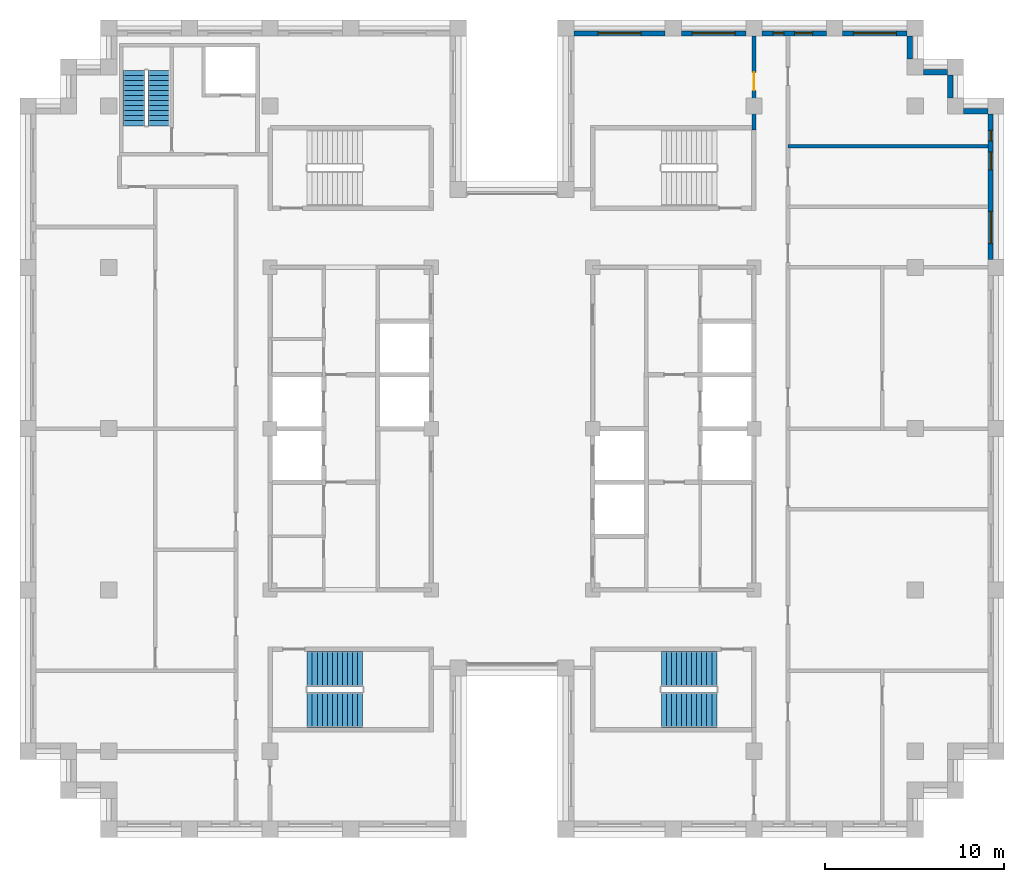
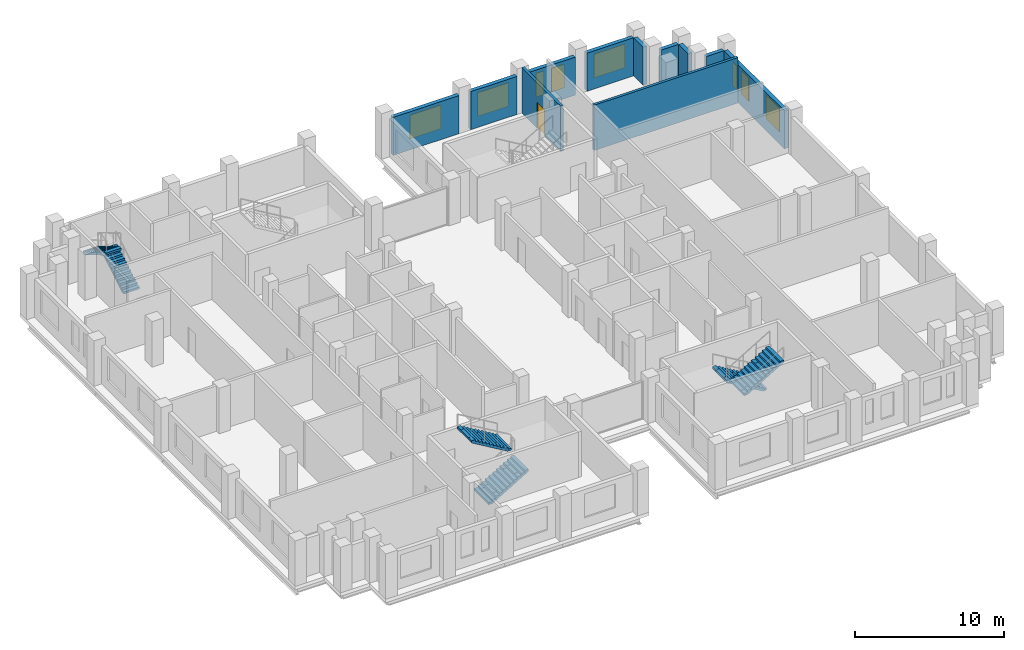
# One storey, part 11 of 13: 11 walls, 8 windows, 6 stair flights, 1 door, 9 openings, 3 elements without a shape of their own.
"""IFC4 building model written with IfcOpenShell, lengths in metres."""

from ifc_helpers import new_model, si_unit, direction, frame, frame_2d, origin, place, context, subcontext, project, spatial, polyline, rectangle, outline, extrude, material, layer, layer_set, type_object, element, fill, aggregate, save


model = new_model("IFC4")

# Units and contexts
model_context = context("Model", 3, precision=1e-05, world=origin(), true_north=direction((0.0, 1.0)))
body_context = subcontext(model_context, "Body", "Model", "MODEL_VIEW")
ifc_project = project(units=[si_unit("LENGTHUNIT", "METRE"), si_unit("AREAUNIT", "SQUARE_METRE"), si_unit("VOLUMEUNIT", "CUBIC_METRE"), si_unit("PLANEANGLEUNIT", "RADIAN"), si_unit("MASSUNIT", "GRAM", prefix="KILO")], contexts=[model_context])

# Site, building, storey
site_placement = place(None, origin())
site = spatial("IfcSite", under=ifc_project, at=site_placement, CompositionType="ELEMENT")
building_placement = place(site_placement, origin())
building = spatial("IfcBuilding", under=site, at=building_placement, Name="Corbelhall Arena Tower", CompositionType="ELEMENT")
storey_placement = place(building_placement, frame((0.0, 0.0, 254.0)))
storey = spatial("IfcBuildingStorey", under=building, at=storey_placement, Name="L54", CompositionType="ELEMENT", Elevation=254.0)

# Wall, openings, windows
ifc_material_1 = material(Name="Precast concrete C40/50 with granite facing", Category="masonry")
ifc_layer_1 = layer(ifc_material_1, 0.300048828125)
ifc_layer_set_1 = layer_set([ifc_layer_1], Name="EV-IW1 Infill panel 300")
wall_type_1 = type_object("IfcWallType", Name="EV-IW1 Infill panel 300", PredefinedType="SOLIDWALL", material=ifc_layer_set_1)
wall_1_placement = place(storey_placement, frame((26.699951171875, 9.449951171875, 0.0), z_axis=(0.0, 0.0, 1.0), x_axis=(0.0, 1.0, 0.0)))
wall_1 = element("IfcWall", 1, at=wall_1_placement, inside=storey, type_object=wall_type_1, Name="Infill panel IW1", PredefinedType="SOLIDWALL", context=body_context, shape_type="SweptSolid", body=[
    extrude(rectangle(XDim=8.10009765625, YDim=0.300048828125, at=frame_2d((4.050048828125, 0.0))), origin(), (0.0, 0.0, 1.0), 3.1201171875),
])
opening_1_placement = place(wall_1_placement, frame((0.875, 0.0, 0.800048828125)))
opening_1 = element("IfcOpeningElement", 2, at=opening_1_placement, cuts=wall_1, Name="Opening WN8", PredefinedType="OPENING", context=body_context, shape_type="SweptSolid", body=[
    extrude(rectangle(XDim=1.800048828125, YDim=1.949951171875, at=frame_2d((0.89990234375, 0.97509765625))), frame((0.0, 0.14990234375, 0.0), z_axis=(0.0, -1.0, 0.0), x_axis=(1.0, 0.0, 0.0)), (0.0, 0.0, 1.0), 0.300048828125),
])
opening_2_placement = place(wall_1_placement, frame((4.987548828125, 0.0, 0.800048828125)))
opening_2 = element("IfcOpeningElement", 3, at=opening_2_placement, cuts=wall_1, Name="Opening WN6", PredefinedType="OPENING", context=body_context, shape_type="SweptSolid", body=[
    extrude(rectangle(XDim=1.0, YDim=1.949951171875, at=frame_2d((0.5, 0.97509765625))), frame((0.0, 0.14990234375, 0.0), z_axis=(0.0, -1.0, 0.0), x_axis=(1.0, 0.0, 0.0)), (0.0, 0.0, 1.0), 0.300048828125),
])
opening_3_placement = place(wall_1_placement, frame((6.58740234375, 0.0, 0.800048828125)))
opening_3 = element("IfcOpeningElement", 4, at=opening_3_placement, cuts=wall_1, Name="Opening WN5", PredefinedType="OPENING", context=body_context, shape_type="SweptSolid", body=[
    extrude(rectangle(XDim=0.60009765625, YDim=1.949951171875, at=frame_2d((0.300048828125, 0.97509765625))), frame((0.0, 0.14990234375, 0.0), z_axis=(0.0, -1.0, 0.0), x_axis=(1.0, 0.0, 0.0)), (0.0, 0.0, 1.0), 0.300048828125),
])
ifc_material_2 = material(Name="Aluminium black anodised", Category="aluminium")
window_type_1 = type_object("IfcWindowType", Name="EV-WN5 Office window 600", PartitioningType="SINGLE_PANEL", PredefinedType="WINDOW", material=ifc_material_2)
window_1_placement = place(opening_3_placement, origin())
window_1 = element("IfcWindow", 5, at=window_1_placement, inside=storey, type_object=window_type_1, Name="Window WN5", OverallHeight=1.949951171875, OverallWidth=0.60009765625, PartitioningType="SINGLE_PANEL", PredefinedType="WINDOW", context=body_context, shape_type="SweptSolid", body=[
    extrude(rectangle(XDim=0.60009765625, YDim=1.949951171875, at=frame_2d((0.300048828125, 0.97509765625))), frame((0.0, 0.030029296875, 0.0), z_axis=(0.0, -1.0, 0.0), x_axis=(1.0, 0.0, 0.0)), (0.0, 0.0, 1.0), 0.06005859375),
])
fill(opening_3, window_1)
window_type_2 = type_object("IfcWindowType", Name="EV-WN6 Office window 1000", PartitioningType="SINGLE_PANEL", PredefinedType="WINDOW", material=ifc_material_2)
window_2_placement = place(opening_2_placement, origin())
window_2 = element("IfcWindow", 6, at=window_2_placement, inside=storey, type_object=window_type_2, Name="Window WN6", OverallHeight=1.949951171875, OverallWidth=1.0, PartitioningType="SINGLE_PANEL", PredefinedType="WINDOW", context=body_context, shape_type="SweptSolid", body=[
    extrude(rectangle(XDim=1.0, YDim=1.949951171875, at=frame_2d((0.5, 0.97509765625))), frame((0.0, 0.030029296875, 0.0), z_axis=(0.0, -1.0, 0.0), x_axis=(1.0, 0.0, 0.0)), (0.0, 0.0, 1.0), 0.06005859375),
])
fill(opening_2, window_2)
window_type_3 = type_object("IfcWindowType", Name="EV-WN8 Office window 1800", PartitioningType="SINGLE_PANEL", PredefinedType="WINDOW", material=ifc_material_2)
window_3_placement = place(opening_1_placement, origin())
window_3 = element("IfcWindow", 7, at=window_3_placement, inside=storey, type_object=window_type_3, Name="Window WN8", OverallHeight=1.949951171875, OverallWidth=1.800048828125, PartitioningType="SINGLE_PANEL", PredefinedType="WINDOW", context=body_context, shape_type="SweptSolid", body=[
    extrude(rectangle(XDim=1.800048828125, YDim=1.949951171875, at=frame_2d((0.89990234375, 0.97509765625))), frame((0.0, 0.030029296875, 0.0), z_axis=(0.0, -1.0, 0.0), x_axis=(1.0, 0.0, 0.0)), (0.0, 0.0, 1.0), 0.06005859375),
])
fill(opening_1, window_3)

# Walls
wall_2_placement = place(storey_placement, frame((26.550048828125, 17.699951171875, 0.0), z_axis=(0.0, 0.0, 1.0), x_axis=(-1.0, 0.0, 0.0)))
element("IfcWall", 8, at=wall_2_placement, inside=storey, type_object=wall_type_1, Name="Infill panel IW1", PredefinedType="SOLIDWALL", context=body_context, shape_type="SweptSolid", body=[
    extrude(rectangle(XDim=1.35009765625, YDim=0.300048828125, at=frame_2d((0.675048828125, 0.0))), origin(), (0.0, 0.0, 1.0), 3.1201171875),
])
wall_3_placement = place(storey_placement, frame((24.449951171875, 18.449951171875, 0.0), z_axis=(0.0, 0.0, 1.0), x_axis=(0.0, 1.0, 0.0)))
element("IfcWall", 9, at=wall_3_placement, inside=storey, type_object=wall_type_1, Name="Infill panel IW1", PredefinedType="SOLIDWALL", context=body_context, shape_type="SweptSolid", body=[
    extrude(rectangle(XDim=1.275146484375, YDim=0.300048828125, at=frame_2d((0.6376953125, 0.0))), origin(), (0.0, 0.0, 1.0), 3.1201171875),
])
wall_4_placement = place(storey_placement, frame((24.300048828125, 19.875, 0.0), z_axis=(0.0, 0.0, 1.0), x_axis=(-1.0, 0.0, 0.0)))
element("IfcWall", 10, at=wall_4_placement, inside=storey, type_object=wall_type_1, Name="Infill panel IW1", PredefinedType="SOLIDWALL", context=body_context, shape_type="SweptSolid", body=[
    extrude(rectangle(XDim=1.35009765625, YDim=0.300048828125, at=frame_2d((0.675048828125, 0.0))), origin(), (0.0, 0.0, 1.0), 3.1201171875),
])
wall_5_placement = place(storey_placement, frame((22.199951171875, 20.625, 0.0), z_axis=(0.0, 0.0, 1.0), x_axis=(0.0, 1.0, 0.0)))
element("IfcWall", 11, at=wall_5_placement, inside=storey, type_object=wall_type_1, Name="Infill panel IW1", PredefinedType="SOLIDWALL", context=body_context, shape_type="SweptSolid", body=[
    extrude(rectangle(XDim=1.27490234375, YDim=0.300048828125, at=frame_2d((0.637451171875, 0.0))), origin(), (0.0, 0.0, 1.0), 3.1201171875),
])

# Wall, opening, window
wall_6_placement = place(storey_placement, frame((22.050048828125, 22.050048828125, 0.0), z_axis=(0.0, 0.0, 1.0), x_axis=(-1.0, 0.0, 0.0)))
wall_6 = element("IfcWall", 12, at=wall_6_placement, inside=storey, type_object=wall_type_1, Name="Infill panel IW1", PredefinedType="SOLIDWALL", context=body_context, shape_type="SweptSolid", body=[
    extrude(rectangle(XDim=3.60009765625, YDim=0.300048828125, at=frame_2d((1.800048828125, 0.0))), origin(), (0.0, 0.0, 1.0), 3.1201171875),
])
opening_4_placement = place(wall_6_placement, frame((0.60009765625, 0.0, 0.800048828125)))
opening_4 = element("IfcOpeningElement", 13, at=opening_4_placement, cuts=wall_6, Name="Opening WN1", PredefinedType="OPENING", context=body_context, shape_type="SweptSolid", body=[
    extrude(rectangle(XDim=2.39990234375, YDim=1.949951171875, at=frame_2d((1.199951171875, 0.97509765625))), frame((0.0, 0.14990234375, 0.0), z_axis=(0.0, -1.0, 0.0), x_axis=(1.0, 0.0, 0.0)), (0.0, 0.0, 1.0), 0.300048828125),
])
window_type_4 = type_object("IfcWindowType", Name="EV-WN1 Office window", PartitioningType="SINGLE_PANEL", PredefinedType="WINDOW", material=ifc_material_2)
window_4_placement = place(opening_4_placement, origin())
window_4 = element("IfcWindow", 14, at=window_4_placement, inside=storey, type_object=window_type_4, Name="Window WN1", OverallHeight=1.949951171875, OverallWidth=2.39990234375, PartitioningType="SINGLE_PANEL", PredefinedType="WINDOW", context=body_context, shape_type="SweptSolid", body=[
    extrude(rectangle(XDim=2.39990234375, YDim=1.949951171875, at=frame_2d((1.199951171875, 0.97509765625))), frame((0.0, 0.030029296875, 0.0), z_axis=(0.0, -1.0, 0.0), x_axis=(1.0, 0.0, 0.0)), (0.0, 0.0, 1.0), 0.06005859375),
])
fill(opening_4, window_4)

# Wall, openings, windows
wall_7_placement = place(storey_placement, frame((17.550048828125, 22.050048828125, 0.0), z_axis=(0.0, 0.0, 1.0), x_axis=(-1.0, 0.0, 0.0)))
wall_7 = element("IfcWall", 15, at=wall_7_placement, inside=storey, type_object=wall_type_1, Name="Infill panel IW1", PredefinedType="SOLIDWALL", context=body_context, shape_type="SweptSolid", body=[
    extrude(rectangle(XDim=3.60009765625, YDim=0.300048828125, at=frame_2d((1.800048828125, 0.0))), origin(), (0.0, 0.0, 1.0), 3.1201171875),
])
opening_5_placement = place(wall_7_placement, frame((0.77490234375, 0.0, 0.800048828125)))
opening_5 = element("IfcOpeningElement", 16, at=opening_5_placement, cuts=wall_7, Name="Opening WN6", PredefinedType="OPENING", context=body_context, shape_type="SweptSolid", body=[
    extrude(rectangle(XDim=1.0, YDim=1.949951171875, at=frame_2d((0.5, 0.97509765625))), frame((0.0, 0.14990234375, 0.0), z_axis=(0.0, -1.0, 0.0), x_axis=(1.0, 0.0, 0.0)), (0.0, 0.0, 1.0), 0.300048828125),
])
opening_6_placement = place(wall_7_placement, frame((2.375, 0.0, 0.800048828125)))
opening_6 = element("IfcOpeningElement", 17, at=opening_6_placement, cuts=wall_7, Name="Opening WN5", PredefinedType="OPENING", context=body_context, shape_type="SweptSolid", body=[
    extrude(rectangle(XDim=0.60009765625, YDim=1.949951171875, at=frame_2d((0.300048828125, 0.97509765625))), frame((0.0, 0.14990234375, 0.0), z_axis=(0.0, -1.0, 0.0), x_axis=(1.0, 0.0, 0.0)), (0.0, 0.0, 1.0), 0.300048828125),
])
window_5_placement = place(opening_6_placement, origin())
window_5 = element("IfcWindow", 18, at=window_5_placement, inside=storey, type_object=window_type_1, Name="Window WN5", OverallHeight=1.949951171875, OverallWidth=0.60009765625, PartitioningType="SINGLE_PANEL", PredefinedType="WINDOW", context=body_context, shape_type="SweptSolid", body=[
    extrude(rectangle(XDim=0.60009765625, YDim=1.949951171875, at=frame_2d((0.300048828125, 0.97509765625))), frame((0.0, 0.030029296875, 0.0), z_axis=(0.0, -1.0, 0.0), x_axis=(1.0, 0.0, 0.0)), (0.0, 0.0, 1.0), 0.06005859375),
])
fill(opening_6, window_5)
window_6_placement = place(opening_5_placement, origin())
window_6 = element("IfcWindow", 19, at=window_6_placement, inside=storey, type_object=window_type_2, Name="Window WN6", OverallHeight=1.949951171875, OverallWidth=1.0, PartitioningType="SINGLE_PANEL", PredefinedType="WINDOW", context=body_context, shape_type="SweptSolid", body=[
    extrude(rectangle(XDim=1.0, YDim=1.949951171875, at=frame_2d((0.5, 0.97509765625))), frame((0.0, 0.030029296875, 0.0), z_axis=(0.0, -1.0, 0.0), x_axis=(1.0, 0.0, 0.0)), (0.0, 0.0, 1.0), 0.06005859375),
])
fill(opening_5, window_6)

# Wall, opening, window
wall_8_placement = place(storey_placement, frame((13.050048828125, 22.050048828125, 0.0), z_axis=(0.0, 0.0, 1.0), x_axis=(-1.0, 0.0, 0.0)))
wall_8 = element("IfcWall", 20, at=wall_8_placement, inside=storey, type_object=wall_type_1, Name="Infill panel IW1", PredefinedType="SOLIDWALL", context=body_context, shape_type="SweptSolid", body=[
    extrude(rectangle(XDim=3.60009765625, YDim=0.300048828125, at=frame_2d((1.800048828125, 0.0))), origin(), (0.0, 0.0, 1.0), 3.1201171875),
])
opening_7_placement = place(wall_8_placement, frame((0.60009765625, 0.0, 0.800048828125)))
opening_7 = element("IfcOpeningElement", 21, at=opening_7_placement, cuts=wall_8, Name="Opening WN1", PredefinedType="OPENING", context=body_context, shape_type="SweptSolid", body=[
    extrude(rectangle(XDim=2.39990234375, YDim=1.949951171875, at=frame_2d((1.199951171875, 0.97509765625))), frame((0.0, 0.14990234375, 0.0), z_axis=(0.0, -1.0, 0.0), x_axis=(1.0, 0.0, 0.0)), (0.0, 0.0, 1.0), 0.300048828125),
])
window_7_placement = place(opening_7_placement, origin())
window_7 = element("IfcWindow", 22, at=window_7_placement, inside=storey, type_object=window_type_4, Name="Window WN1", OverallHeight=1.949951171875, OverallWidth=2.39990234375, PartitioningType="SINGLE_PANEL", PredefinedType="WINDOW", context=body_context, shape_type="SweptSolid", body=[
    extrude(rectangle(XDim=2.39990234375, YDim=1.949951171875, at=frame_2d((1.199951171875, 0.97509765625))), frame((0.0, 0.030029296875, 0.0), z_axis=(0.0, -1.0, 0.0), x_axis=(1.0, 0.0, 0.0)), (0.0, 0.0, 1.0), 0.06005859375),
])
fill(opening_7, window_7)

wall_9_placement = place(storey_placement, frame((8.550048828125, 22.050048828125, 0.0), z_axis=(0.0, 0.0, 1.0), x_axis=(-1.0, 0.0, 0.0)))
wall_9 = element("IfcWall", 23, at=wall_9_placement, inside=storey, type_object=wall_type_1, Name="Infill panel IW1", PredefinedType="SOLIDWALL", context=body_context, shape_type="SweptSolid", body=[
    extrude(rectangle(XDim=5.10009765625, YDim=0.300048828125, at=frame_2d((2.550048828125, 0.0))), origin(), (0.0, 0.0, 1.0), 3.1201171875),
])
opening_8_placement = place(wall_9_placement, frame((1.35009765625, 0.0, 0.800048828125)))
opening_8 = element("IfcOpeningElement", 24, at=opening_8_placement, cuts=wall_9, Name="Opening WN1", PredefinedType="OPENING", context=body_context, shape_type="SweptSolid", body=[
    extrude(rectangle(XDim=2.39990234375, YDim=1.949951171875, at=frame_2d((1.199951171875, 0.97509765625))), frame((0.0, 0.14990234375, 0.0), z_axis=(0.0, -1.0, 0.0), x_axis=(1.0, 0.0, 0.0)), (0.0, 0.0, 1.0), 0.300048828125),
])
window_8_placement = place(opening_8_placement, origin())
window_8 = element("IfcWindow", 25, at=window_8_placement, inside=storey, type_object=window_type_4, Name="Window WN1", OverallHeight=1.949951171875, OverallWidth=2.39990234375, PartitioningType="SINGLE_PANEL", PredefinedType="WINDOW", context=body_context, shape_type="SweptSolid", body=[
    extrude(rectangle(XDim=2.39990234375, YDim=1.949951171875, at=frame_2d((1.199951171875, 0.97509765625))), frame((0.0, 0.030029296875, 0.0), z_axis=(0.0, -1.0, 0.0), x_axis=(1.0, 0.0, 0.0)), (0.0, 0.0, 1.0), 0.06005859375),
])
fill(opening_8, window_8)

# Wall, opening, door
ifc_material_3 = material(Name="Gypsum board on steel stud, acoustic", Category="steel")
ifc_layer_2 = layer(ifc_material_3, 0.199951171875)
ifc_layer_set_2 = layer_set([ifc_layer_2], Name="IN-W-DM200")
wall_type_2 = type_object("IfcWallType", Name="IN-W-DM200", PredefinedType="PARTITIONING", material=ifc_layer_set_2)
wall_10_placement = place(storey_placement, frame((13.5, 16.675048828125, 0.0), z_axis=(0.0, 0.0, 1.0), x_axis=(0.0, 1.0, 0.0)))
wall_10 = element("IfcWall", 26, at=wall_10_placement, inside=storey, type_object=wall_type_2, Name="Partition 015", PredefinedType="PARTITIONING", context=body_context, shape_type="SweptSolid", body=[
    extrude(rectangle(XDim=5.224853515625, YDim=0.199951171875, at=frame_2d((2.6123046875, 0.0))), origin(), (0.0, 0.0, 1.0), 3.719970703125),
])
opening_9_placement = place(wall_10_placement, frame((2.199951171875, 0.0, 0.0)))
opening_9 = element("IfcOpeningElement", 27, at=opening_9_placement, cuts=wall_10, Name="Opening 17019", PredefinedType="OPENING", context=body_context, shape_type="SweptSolid", body=[
    extrude(rectangle(XDim=1.0, YDim=2.10009765625, at=frame_2d((0.5, 1.050048828125))), frame((0.0, 0.10009765625, 0.0), z_axis=(0.0, -1.0, 0.0), x_axis=(1.0, 0.0, 0.0)), (0.0, 0.0, 1.0), 0.199951171875),
])
ifc_material_4 = material(Name="Steel door set", Category="steel")
door_type = type_object("IfcDoorType", Name="IN-D-SW100", OperationType="NOTDEFINED", PredefinedType="DOOR", material=ifc_material_4)
door_placement = place(opening_9_placement, origin())
door = element("IfcDoor", 28, at=door_placement, inside=storey, type_object=door_type, Name="Door 019", OperationType="SINGLE_SWING_RIGHT", OverallHeight=2.10009765625, OverallWidth=1.0, PredefinedType="DOOR", context=body_context, shape_type="SweptSolid", body=[
    extrude(rectangle(XDim=1.0, YDim=2.10009765625, at=frame_2d((0.5, 1.050048828125))), frame((0.0, 0.02490234375, 0.0), z_axis=(0.0, -1.0, 0.0), x_axis=(1.0, 0.0, 0.0)), (0.0, 0.0, 1.0), 0.050048828125),
])
fill(opening_9, door)

# Wall
wall_11_placement = place(storey_placement, frame((15.39990234375, 15.75, 0.0), z_axis=(0.0, 0.0, 1.0), x_axis=(1.0, 0.0, 0.0)))
element("IfcWall", 29, at=wall_11_placement, inside=storey, type_object=wall_type_2, Name="Partition 021", PredefinedType="PARTITIONING", context=body_context, shape_type="SweptSolid", body=[
    extrude(rectangle(XDim=11.150146484375, YDim=0.199951171875, at=frame_2d((5.5751953125, 0.0))), origin(), (0.0, 0.0, 1.0), 3.719970703125),
])

# Stair, stair flights
ifc_material_5 = material(Name="Concrete C40/50", Category="concrete")
stair_type = type_object("IfcStairType", Name="IN-ST-TOWER", PredefinedType="HALF_TURN_STAIR", material=ifc_material_5)
stair_1_placement = place(storey_placement, origin())
stair_1 = element("IfcStair", 30, at=stair_1_placement, inside=storey, type_object=stair_type, Name="L54 Exit stair ST2", PredefinedType="HALF_TURN_STAIR")
stair_flight_type = type_object("IfcStairFlightType", Name="IN-SFL-RC", PredefinedType="STRAIGHT", material=ifc_material_5)
stair_flight_1_placement = place(storey_placement, frame((-11.425048828125, -15.699951171875, 0.0), z_axis=(0.0, 0.0, 1.0), x_axis=(1.0, 0.0, 0.0)))
stair_flight_1 = element("IfcStairFlight", 31, at=stair_flight_1_placement, type_object=stair_flight_type, Name="ST2 flight 1", NumberOfRisers=12, NumberOfTreads=11, PredefinedType="STRAIGHT", RiserHeight=0.166666667, TreadLength=0.28, context=body_context, shape_type="SweptSolid", body=[
    extrude(outline(polyline([(0.0, 0.0), (0.0, 0.166748046875), (0.280029296875, 0.166748046875), (0.280029296875, 0.333251953125), (0.56005859375, 0.333251953125), (0.56005859375, 0.5), (0.840087890625, 0.5), (0.840087890625, 0.666748046875), (1.1201171875, 0.666748046875), (1.1201171875, 0.833251953125), (1.39990234375, 0.833251953125), (1.39990234375, 1.0), (1.679931640625, 1.0), (1.679931640625, 1.166748046875), (1.9599609375, 1.166748046875), (1.9599609375, 1.333251953125), (2.239990234375, 1.333251953125), (2.239990234375, 1.5), (2.52001953125, 1.5), (2.52001953125, 1.666748046875), (2.800048828125, 1.666748046875), (2.800048828125, 1.833251953125), (3.080078125, 1.833251953125), (3.080078125, 2.0), (3.080078125, 1.658935546875), (0.29296875, 0.0), (0.0, 0.0)])), frame((0.0, 0.97509765625, 0.0), z_axis=(0.0, -1.0, 0.0), x_axis=(1.0, 0.0, 0.0)), (0.0, 0.0, 1.0), 0.449951171875),
    extrude(outline(polyline([(0.0, 0.0), (0.0, 0.166748046875), (0.280029296875, 0.166748046875), (0.280029296875, 0.333251953125), (0.56005859375, 0.333251953125), (0.56005859375, 0.5), (0.840087890625, 0.5), (0.840087890625, 0.666748046875), (1.1201171875, 0.666748046875), (1.1201171875, 0.833251953125), (1.39990234375, 0.833251953125), (1.39990234375, 1.0), (1.679931640625, 1.0), (1.679931640625, 1.166748046875), (1.9599609375, 1.166748046875), (1.9599609375, 1.333251953125), (2.239990234375, 1.333251953125), (2.239990234375, 1.5), (2.52001953125, 1.5), (2.52001953125, 1.666748046875), (2.800048828125, 1.666748046875), (2.800048828125, 1.833251953125), (3.080078125, 1.833251953125), (3.080078125, 2.0), (3.080078125, 1.658935546875), (0.29296875, 0.0), (0.0, 0.0)])), frame((0.0, 0.52099609375, 0.0), z_axis=(0.0, -1.0, 0.0), x_axis=(1.0, 0.0, 0.0)), (0.0, 0.0, 1.0), 1.0419921875),
    extrude(outline(polyline([(0.0, 0.0), (0.0, 0.166748046875), (0.280029296875, 0.166748046875), (0.280029296875, 0.333251953125), (0.56005859375, 0.333251953125), (0.56005859375, 0.5), (0.840087890625, 0.5), (0.840087890625, 0.666748046875), (1.1201171875, 0.666748046875), (1.1201171875, 0.833251953125), (1.39990234375, 0.833251953125), (1.39990234375, 1.0), (1.679931640625, 1.0), (1.679931640625, 1.166748046875), (1.9599609375, 1.166748046875), (1.9599609375, 1.333251953125), (2.239990234375, 1.333251953125), (2.239990234375, 1.5), (2.52001953125, 1.5), (2.52001953125, 1.666748046875), (2.800048828125, 1.666748046875), (2.800048828125, 1.833251953125), (3.080078125, 1.833251953125), (3.080078125, 2.0), (3.080078125, 1.658935546875), (0.29296875, 0.0), (0.0, 0.0)])), frame((0.0, -0.52490234375, 0.0), z_axis=(0.0, -1.0, 0.0), x_axis=(1.0, 0.0, 0.0)), (0.0, 0.0, 1.0), 0.449951171875),
])
stair_flight_2_placement = place(storey_placement, frame((-8.344970703125, -13.39990234375, 2.0), z_axis=(0.0, 0.0, 1.0), x_axis=(-1.0, 0.0, 0.0)))
stair_flight_2 = element("IfcStairFlight", 32, at=stair_flight_2_placement, type_object=stair_flight_type, Name="ST2 flight 2", NumberOfRisers=12, NumberOfTreads=11, PredefinedType="STRAIGHT", RiserHeight=0.166666667, TreadLength=0.28, context=body_context, shape_type="SweptSolid", body=[
    extrude(outline(polyline([(0.0, 0.0), (0.0, 0.166748046875), (0.280029296875, 0.166748046875), (0.280029296875, 0.333251953125), (0.56005859375, 0.333251953125), (0.56005859375, 0.5), (0.840087890625, 0.5), (0.840087890625, 0.666748046875), (1.1201171875, 0.666748046875), (1.1201171875, 0.833251953125), (1.39990234375, 0.833251953125), (1.39990234375, 1.0), (1.679931640625, 1.0), (1.679931640625, 1.166748046875), (1.9599609375, 1.166748046875), (1.9599609375, 1.333251953125), (2.239990234375, 1.333251953125), (2.239990234375, 1.5), (2.52001953125, 1.5), (2.52001953125, 1.666748046875), (2.800048828125, 1.666748046875), (2.800048828125, 1.833251953125), (3.080078125, 1.833251953125), (3.080078125, 2.0), (3.080078125, 1.658935546875), (0.29296875, 0.0), (0.0, 0.0)])), frame((0.0, 0.97509765625, 0.0), z_axis=(0.0, -1.0, 0.0), x_axis=(1.0, 0.0, 0.0)), (0.0, 0.0, 1.0), 0.449951171875),
    extrude(outline(polyline([(0.0, 0.0), (0.0, 0.166748046875), (0.280029296875, 0.166748046875), (0.280029296875, 0.333251953125), (0.56005859375, 0.333251953125), (0.56005859375, 0.5), (0.840087890625, 0.5), (0.840087890625, 0.666748046875), (1.1201171875, 0.666748046875), (1.1201171875, 0.833251953125), (1.39990234375, 0.833251953125), (1.39990234375, 1.0), (1.679931640625, 1.0), (1.679931640625, 1.166748046875), (1.9599609375, 1.166748046875), (1.9599609375, 1.333251953125), (2.239990234375, 1.333251953125), (2.239990234375, 1.5), (2.52001953125, 1.5), (2.52001953125, 1.666748046875), (2.800048828125, 1.666748046875), (2.800048828125, 1.833251953125), (3.080078125, 1.833251953125), (3.080078125, 2.0), (3.080078125, 1.658935546875), (0.29296875, 0.0), (0.0, 0.0)])), frame((0.0, 0.52099609375, 0.0), z_axis=(0.0, -1.0, 0.0), x_axis=(1.0, 0.0, 0.0)), (0.0, 0.0, 1.0), 1.0419921875),
    extrude(outline(polyline([(0.0, 0.0), (0.0, 0.166748046875), (0.280029296875, 0.166748046875), (0.280029296875, 0.333251953125), (0.56005859375, 0.333251953125), (0.56005859375, 0.5), (0.840087890625, 0.5), (0.840087890625, 0.666748046875), (1.1201171875, 0.666748046875), (1.1201171875, 0.833251953125), (1.39990234375, 0.833251953125), (1.39990234375, 1.0), (1.679931640625, 1.0), (1.679931640625, 1.166748046875), (1.9599609375, 1.166748046875), (1.9599609375, 1.333251953125), (2.239990234375, 1.333251953125), (2.239990234375, 1.5), (2.52001953125, 1.5), (2.52001953125, 1.666748046875), (2.800048828125, 1.666748046875), (2.800048828125, 1.833251953125), (3.080078125, 1.833251953125), (3.080078125, 2.0), (3.080078125, 1.658935546875), (0.29296875, 0.0), (0.0, 0.0)])), frame((0.0, -0.52490234375, 0.0), z_axis=(0.0, -1.0, 0.0), x_axis=(1.0, 0.0, 0.0)), (0.0, 0.0, 1.0), 0.449951171875),
])
aggregate(stair_1, [stair_flight_1, stair_flight_2])

stair_2_placement = place(storey_placement, origin())
stair_2 = element("IfcStair", 33, at=stair_2_placement, inside=storey, type_object=stair_type, Name="L54 Exit stair ST4", PredefinedType="HALF_TURN_STAIR")
stair_flight_3_placement = place(storey_placement, frame((11.425048828125, -13.39990234375, 0.0), z_axis=(0.0, 0.0, 1.0), x_axis=(-1.0, 0.0, 0.0)))
stair_flight_3 = element("IfcStairFlight", 34, at=stair_flight_3_placement, type_object=stair_flight_type, Name="ST4 flight 1", NumberOfRisers=12, NumberOfTreads=11, PredefinedType="STRAIGHT", RiserHeight=0.166666667, TreadLength=0.28, context=body_context, shape_type="SweptSolid", body=[
    extrude(outline(polyline([(0.0, 0.0), (0.0, 0.166748046875), (0.280029296875, 0.166748046875), (0.280029296875, 0.333251953125), (0.56005859375, 0.333251953125), (0.56005859375, 0.5), (0.840087890625, 0.5), (0.840087890625, 0.666748046875), (1.1201171875, 0.666748046875), (1.1201171875, 0.833251953125), (1.39990234375, 0.833251953125), (1.39990234375, 1.0), (1.679931640625, 1.0), (1.679931640625, 1.166748046875), (1.9599609375, 1.166748046875), (1.9599609375, 1.333251953125), (2.239990234375, 1.333251953125), (2.239990234375, 1.5), (2.52001953125, 1.5), (2.52001953125, 1.666748046875), (2.800048828125, 1.666748046875), (2.800048828125, 1.833251953125), (3.080078125, 1.833251953125), (3.080078125, 2.0), (3.080078125, 1.658935546875), (0.29296875, 0.0), (0.0, 0.0)])), frame((0.0, 0.97509765625, 0.0), z_axis=(0.0, -1.0, 0.0), x_axis=(1.0, 0.0, 0.0)), (0.0, 0.0, 1.0), 0.449951171875),
    extrude(outline(polyline([(0.0, 0.0), (0.0, 0.166748046875), (0.280029296875, 0.166748046875), (0.280029296875, 0.333251953125), (0.56005859375, 0.333251953125), (0.56005859375, 0.5), (0.840087890625, 0.5), (0.840087890625, 0.666748046875), (1.1201171875, 0.666748046875), (1.1201171875, 0.833251953125), (1.39990234375, 0.833251953125), (1.39990234375, 1.0), (1.679931640625, 1.0), (1.679931640625, 1.166748046875), (1.9599609375, 1.166748046875), (1.9599609375, 1.333251953125), (2.239990234375, 1.333251953125), (2.239990234375, 1.5), (2.52001953125, 1.5), (2.52001953125, 1.666748046875), (2.800048828125, 1.666748046875), (2.800048828125, 1.833251953125), (3.080078125, 1.833251953125), (3.080078125, 2.0), (3.080078125, 1.658935546875), (0.29296875, 0.0), (0.0, 0.0)])), frame((0.0, 0.52099609375, 0.0), z_axis=(0.0, -1.0, 0.0), x_axis=(1.0, 0.0, 0.0)), (0.0, 0.0, 1.0), 1.0419921875),
    extrude(outline(polyline([(0.0, 0.0), (0.0, 0.166748046875), (0.280029296875, 0.166748046875), (0.280029296875, 0.333251953125), (0.56005859375, 0.333251953125), (0.56005859375, 0.5), (0.840087890625, 0.5), (0.840087890625, 0.666748046875), (1.1201171875, 0.666748046875), (1.1201171875, 0.833251953125), (1.39990234375, 0.833251953125), (1.39990234375, 1.0), (1.679931640625, 1.0), (1.679931640625, 1.166748046875), (1.9599609375, 1.166748046875), (1.9599609375, 1.333251953125), (2.239990234375, 1.333251953125), (2.239990234375, 1.5), (2.52001953125, 1.5), (2.52001953125, 1.666748046875), (2.800048828125, 1.666748046875), (2.800048828125, 1.833251953125), (3.080078125, 1.833251953125), (3.080078125, 2.0), (3.080078125, 1.658935546875), (0.29296875, 0.0), (0.0, 0.0)])), frame((0.0, -0.52490234375, 0.0), z_axis=(0.0, -1.0, 0.0), x_axis=(1.0, 0.0, 0.0)), (0.0, 0.0, 1.0), 0.449951171875),
])
stair_flight_4_placement = place(storey_placement, frame((8.344970703125, -15.699951171875, 2.0), z_axis=(0.0, 0.0, 1.0), x_axis=(1.0, 0.0, 0.0)))
stair_flight_4 = element("IfcStairFlight", 35, at=stair_flight_4_placement, type_object=stair_flight_type, Name="ST4 flight 2", NumberOfRisers=12, NumberOfTreads=11, PredefinedType="STRAIGHT", RiserHeight=0.166666667, TreadLength=0.28, context=body_context, shape_type="SweptSolid", body=[
    extrude(outline(polyline([(0.0, 0.0), (0.0, 0.166748046875), (0.280029296875, 0.166748046875), (0.280029296875, 0.333251953125), (0.56005859375, 0.333251953125), (0.56005859375, 0.5), (0.840087890625, 0.5), (0.840087890625, 0.666748046875), (1.1201171875, 0.666748046875), (1.1201171875, 0.833251953125), (1.39990234375, 0.833251953125), (1.39990234375, 1.0), (1.679931640625, 1.0), (1.679931640625, 1.166748046875), (1.9599609375, 1.166748046875), (1.9599609375, 1.333251953125), (2.239990234375, 1.333251953125), (2.239990234375, 1.5), (2.52001953125, 1.5), (2.52001953125, 1.666748046875), (2.800048828125, 1.666748046875), (2.800048828125, 1.833251953125), (3.080078125, 1.833251953125), (3.080078125, 2.0), (3.080078125, 1.658935546875), (0.29296875, 0.0), (0.0, 0.0)])), frame((0.0, 0.97509765625, 0.0), z_axis=(0.0, -1.0, 0.0), x_axis=(1.0, 0.0, 0.0)), (0.0, 0.0, 1.0), 0.449951171875),
    extrude(outline(polyline([(0.0, 0.0), (0.0, 0.166748046875), (0.280029296875, 0.166748046875), (0.280029296875, 0.333251953125), (0.56005859375, 0.333251953125), (0.56005859375, 0.5), (0.840087890625, 0.5), (0.840087890625, 0.666748046875), (1.1201171875, 0.666748046875), (1.1201171875, 0.833251953125), (1.39990234375, 0.833251953125), (1.39990234375, 1.0), (1.679931640625, 1.0), (1.679931640625, 1.166748046875), (1.9599609375, 1.166748046875), (1.9599609375, 1.333251953125), (2.239990234375, 1.333251953125), (2.239990234375, 1.5), (2.52001953125, 1.5), (2.52001953125, 1.666748046875), (2.800048828125, 1.666748046875), (2.800048828125, 1.833251953125), (3.080078125, 1.833251953125), (3.080078125, 2.0), (3.080078125, 1.658935546875), (0.29296875, 0.0), (0.0, 0.0)])), frame((0.0, 0.52099609375, 0.0), z_axis=(0.0, -1.0, 0.0), x_axis=(1.0, 0.0, 0.0)), (0.0, 0.0, 1.0), 1.0419921875),
    extrude(outline(polyline([(0.0, 0.0), (0.0, 0.166748046875), (0.280029296875, 0.166748046875), (0.280029296875, 0.333251953125), (0.56005859375, 0.333251953125), (0.56005859375, 0.5), (0.840087890625, 0.5), (0.840087890625, 0.666748046875), (1.1201171875, 0.666748046875), (1.1201171875, 0.833251953125), (1.39990234375, 0.833251953125), (1.39990234375, 1.0), (1.679931640625, 1.0), (1.679931640625, 1.166748046875), (1.9599609375, 1.166748046875), (1.9599609375, 1.333251953125), (2.239990234375, 1.333251953125), (2.239990234375, 1.5), (2.52001953125, 1.5), (2.52001953125, 1.666748046875), (2.800048828125, 1.666748046875), (2.800048828125, 1.833251953125), (3.080078125, 1.833251953125), (3.080078125, 2.0), (3.080078125, 1.658935546875), (0.29296875, 0.0), (0.0, 0.0)])), frame((0.0, -0.52490234375, 0.0), z_axis=(0.0, -1.0, 0.0), x_axis=(1.0, 0.0, 0.0)), (0.0, 0.0, 1.0), 0.449951171875),
])
aggregate(stair_2, [stair_flight_3, stair_flight_4])

stair_3_placement = place(storey_placement, origin())
stair_3 = element("IfcStair", 36, at=stair_3_placement, inside=storey, type_object=stair_type, Name="L54 Exit stair ST5", PredefinedType="HALF_TURN_STAIR")
stair_flight_5_placement = place(storey_placement, frame((-19.695068359375, 16.89990234375, 0.0), z_axis=(0.0, 0.0, 1.0), x_axis=(0.0, 1.0, 0.0)))
stair_flight_5 = element("IfcStairFlight", 37, at=stair_flight_5_placement, type_object=stair_flight_type, Name="ST5 flight 1", NumberOfRisers=12, NumberOfTreads=11, PredefinedType="STRAIGHT", RiserHeight=0.166666667, TreadLength=0.28, context=body_context, shape_type="SweptSolid", body=[
    extrude(outline(polyline([(0.0, 0.0), (0.0, 0.166748046875), (0.280029296875, 0.166748046875), (0.280029296875, 0.333251953125), (0.56005859375, 0.333251953125), (0.56005859375, 0.5), (0.840087890625, 0.5), (0.840087890625, 0.666748046875), (1.1201171875, 0.666748046875), (1.1201171875, 0.833251953125), (1.39990234375, 0.833251953125), (1.39990234375, 1.0), (1.679931640625, 1.0), (1.679931640625, 1.166748046875), (1.9599609375, 1.166748046875), (1.9599609375, 1.333251953125), (2.239990234375, 1.333251953125), (2.239990234375, 1.5), (2.52001953125, 1.5), (2.52001953125, 1.666748046875), (2.800048828125, 1.666748046875), (2.800048828125, 1.833251953125), (3.080078125, 1.833251953125), (3.080078125, 2.0), (3.080078125, 1.658935546875), (0.29296875, 0.0), (0.0, 0.0)])), frame((0.0, 0.60009765625, 0.0), z_axis=(0.0, -1.0, 0.0), x_axis=(1.0, 0.0, 0.0)), (0.0, 0.0, 1.0), 1.199951171875),
])
stair_flight_6_placement = place(storey_placement, frame((-21.094970703125, 19.97998046875, 2.0), z_axis=(0.0, 0.0, 1.0), x_axis=(0.0, -1.0, 0.0)))
stair_flight_6 = element("IfcStairFlight", 38, at=stair_flight_6_placement, type_object=stair_flight_type, Name="ST5 flight 2", NumberOfRisers=12, NumberOfTreads=11, PredefinedType="STRAIGHT", RiserHeight=0.166666667, TreadLength=0.28, context=body_context, shape_type="SweptSolid", body=[
    extrude(outline(polyline([(0.0, 0.0), (0.0, 0.166748046875), (0.280029296875, 0.166748046875), (0.280029296875, 0.333251953125), (0.56005859375, 0.333251953125), (0.56005859375, 0.5), (0.840087890625, 0.5), (0.840087890625, 0.666748046875), (1.1201171875, 0.666748046875), (1.1201171875, 0.833251953125), (1.39990234375, 0.833251953125), (1.39990234375, 1.0), (1.679931640625, 1.0), (1.679931640625, 1.166748046875), (1.9599609375, 1.166748046875), (1.9599609375, 1.333251953125), (2.239990234375, 1.333251953125), (2.239990234375, 1.5), (2.52001953125, 1.5), (2.52001953125, 1.666748046875), (2.800048828125, 1.666748046875), (2.800048828125, 1.833251953125), (3.080078125, 1.833251953125), (3.080078125, 2.0), (3.080078125, 1.658935546875), (0.29296875, 0.0), (0.0, 0.0)])), frame((0.0, 0.60009765625, 0.0), z_axis=(0.0, -1.0, 0.0), x_axis=(1.0, 0.0, 0.0)), (0.0, 0.0, 1.0), 1.199951171875),
])
aggregate(stair_3, [stair_flight_5, stair_flight_6])

save(model, "model.ifc")
